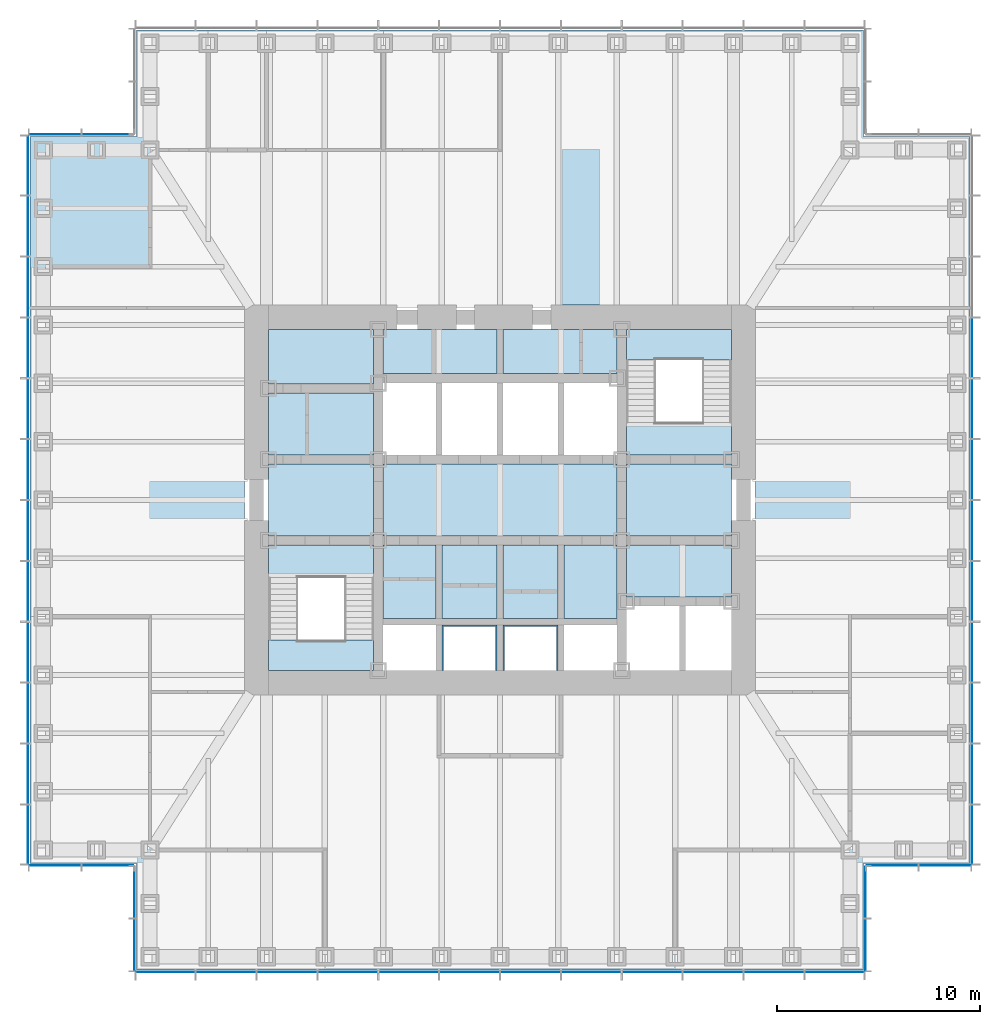
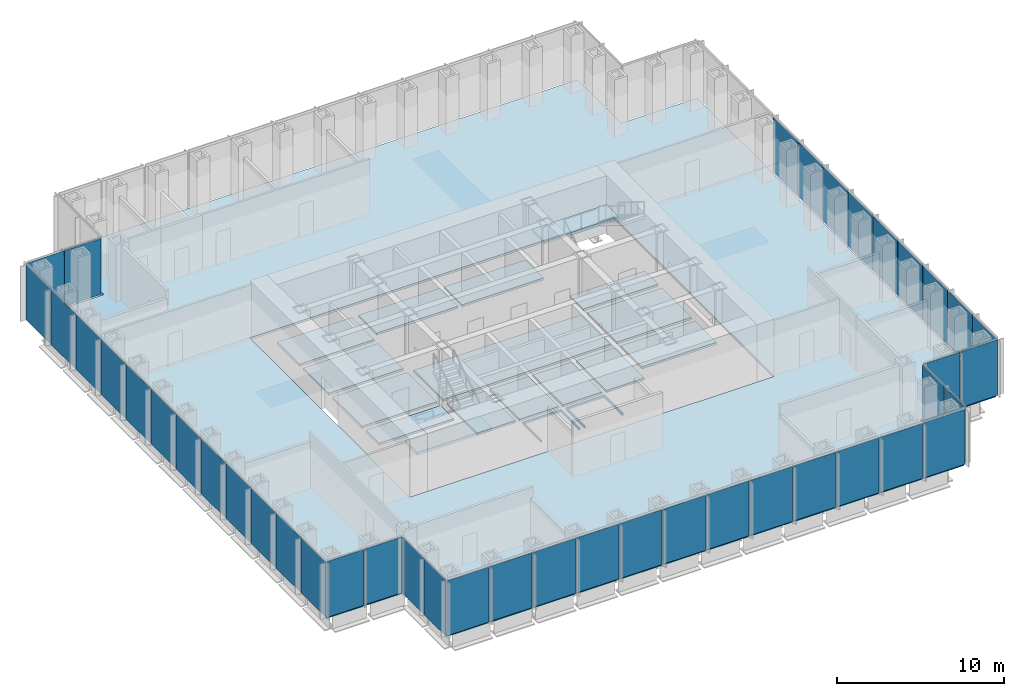
# One storey, part 7 of 16: 43 plates, 19 slabs, 10 elements without a shape of their own.
"""IFC4 building model written with IfcOpenShell, lengths in metres."""

from ifc_helpers import new_model, si_unit, direction, frame, origin, origin_2d, place, context, subcontext, project, spatial, polyline, rectangle, outline, extrude, material, layer, layer_set, type_object, element, aggregate, save


model = new_model("IFC4")

# Units and contexts
model_context = context("Model", 3, precision=1e-05, world=origin(), true_north=direction((0.0, 1.0)))
body_context = subcontext(model_context, "Body", "Model", "MODEL_VIEW")
ifc_project = project(units=[si_unit("LENGTHUNIT", "METRE"), si_unit("AREAUNIT", "SQUARE_METRE"), si_unit("VOLUMEUNIT", "CUBIC_METRE"), si_unit("PLANEANGLEUNIT", "RADIAN"), si_unit("MASSUNIT", "GRAM", prefix="KILO")], contexts=[model_context])

# Site, building, storey
site_placement = place(None, origin())
site = spatial("IfcSite", under=ifc_project, at=site_placement, CompositionType="ELEMENT")
building_placement = place(site_placement, origin())
building = spatial("IfcBuilding", under=site, at=building_placement, Name="Daluyong Arena Tower", CompositionType="ELEMENT")
storey_placement = place(building_placement, frame((0.0, 0.0, 133.300048828125)))
storey = spatial("IfcBuildingStorey", under=building, at=storey_placement, Name="L29", CompositionType="ELEMENT", Elevation=133.300048828125)

# Curtain wall, plates
ifc_material_1 = material(Name="Bronze anodised aluminium and glass", Category="aluminium")
curtain_wall_type_1 = type_object("IfcCurtainWallType", Name="Curtain wall CW2", PredefinedType="USERDEFINED", material=ifc_material_1)
curtain_wall_1_placement = place(storey_placement, origin())
curtain_wall_1 = element("IfcCurtainWall", 1, at=curtain_wall_1_placement, inside=storey, type_object=curtain_wall_type_1, Name="curtain wall L29 S", ObjectType="UNITISED CURTAIN WALL", PredefinedType="USERDEFINED")
ifc_material_2 = material(Name="Tinted double glazed unit", Category="glass")
ifc_layer_1 = layer(ifc_material_2, 0.031982421875)
ifc_layer_set_1 = layer_set([ifc_layer_1], Name="Tinted double glazed unit")
plate_type_1 = type_object("IfcPlateType", Name="CW2 panel 32", PredefinedType="CURTAIN_PANEL", material=ifc_layer_set_1)
plate_1_placement = place(storey_placement, frame((39.52001953125, 56.75, 0.0), z_axis=(0.0, 0.0, 1.0), x_axis=(1.0, 0.0, 0.0)))
plate_1 = element("IfcPlate", 2, at=plate_1_placement, type_object=plate_type_1, Name="curtain wall L29 S panel 1", PredefinedType="CURTAIN_PANEL", context=body_context, shape_type="SweptSolid", body=[
    extrude(rectangle(XDim=2.8798828125, YDim=0.031982421875, at=origin_2d()), origin(), (0.0, 0.0, 1.0), 4.02001953125),
])
plate_2_placement = place(storey_placement, frame((42.5, 56.75, 0.0), z_axis=(0.0, 0.0, 1.0), x_axis=(1.0, 0.0, 0.0)))
plate_2 = element("IfcPlate", 3, at=plate_2_placement, type_object=plate_type_1, Name="curtain wall L29 S panel 2", PredefinedType="CURTAIN_PANEL", context=body_context, shape_type="SweptSolid", body=[
    extrude(rectangle(XDim=2.919921875, YDim=0.031982421875, at=origin_2d()), origin(), (0.0, 0.0, 1.0), 4.02001953125),
])
plate_3_placement = place(storey_placement, frame((45.5, 56.75, 0.0), z_axis=(0.0, 0.0, 1.0), x_axis=(1.0, 0.0, 0.0)))
plate_3 = element("IfcPlate", 4, at=plate_3_placement, type_object=plate_type_1, Name="curtain wall L29 S panel 3", PredefinedType="CURTAIN_PANEL", context=body_context, shape_type="SweptSolid", body=[
    extrude(rectangle(XDim=2.919921875, YDim=0.031982421875, at=origin_2d()), origin(), (0.0, 0.0, 1.0), 4.02001953125),
])
plate_4_placement = place(storey_placement, frame((48.5, 56.75, 0.0), z_axis=(0.0, 0.0, 1.0), x_axis=(1.0, 0.0, 0.0)))
plate_4 = element("IfcPlate", 5, at=plate_4_placement, type_object=plate_type_1, Name="curtain wall L29 S panel 4", PredefinedType="CURTAIN_PANEL", context=body_context, shape_type="SweptSolid", body=[
    extrude(rectangle(XDim=2.919921875, YDim=0.031982421875, at=origin_2d()), origin(), (0.0, 0.0, 1.0), 4.02001953125),
])
plate_5_placement = place(storey_placement, frame((51.5, 56.75, 0.0), z_axis=(0.0, 0.0, 1.0), x_axis=(1.0, 0.0, 0.0)))
plate_5 = element("IfcPlate", 6, at=plate_5_placement, type_object=plate_type_1, Name="curtain wall L29 S panel 5", PredefinedType="CURTAIN_PANEL", context=body_context, shape_type="SweptSolid", body=[
    extrude(rectangle(XDim=2.919921875, YDim=0.031982421875, at=origin_2d()), origin(), (0.0, 0.0, 1.0), 4.02001953125),
])
plate_6_placement = place(storey_placement, frame((54.5, 56.75, 0.0), z_axis=(0.0, 0.0, 1.0), x_axis=(1.0, 0.0, 0.0)))
plate_6 = element("IfcPlate", 7, at=plate_6_placement, type_object=plate_type_1, Name="curtain wall L29 S panel 6", PredefinedType="CURTAIN_PANEL", context=body_context, shape_type="SweptSolid", body=[
    extrude(rectangle(XDim=2.919921875, YDim=0.031982421875, at=origin_2d()), origin(), (0.0, 0.0, 1.0), 4.02001953125),
])
plate_7_placement = place(storey_placement, frame((57.5, 56.75, 0.0), z_axis=(0.0, 0.0, 1.0), x_axis=(1.0, 0.0, 0.0)))
plate_7 = element("IfcPlate", 8, at=plate_7_placement, type_object=plate_type_1, Name="curtain wall L29 S panel 7", PredefinedType="CURTAIN_PANEL", context=body_context, shape_type="SweptSolid", body=[
    extrude(rectangle(XDim=2.919921875, YDim=0.031982421875, at=origin_2d()), origin(), (0.0, 0.0, 1.0), 4.02001953125),
])
plate_8_placement = place(storey_placement, frame((60.5, 56.75, 0.0), z_axis=(0.0, 0.0, 1.0), x_axis=(1.0, 0.0, 0.0)))
plate_8 = element("IfcPlate", 9, at=plate_8_placement, type_object=plate_type_1, Name="curtain wall L29 S panel 8", PredefinedType="CURTAIN_PANEL", context=body_context, shape_type="SweptSolid", body=[
    extrude(rectangle(XDim=2.919921875, YDim=0.031982421875, at=origin_2d()), origin(), (0.0, 0.0, 1.0), 4.02001953125),
])
plate_9_placement = place(storey_placement, frame((63.5, 56.75, 0.0), z_axis=(0.0, 0.0, 1.0), x_axis=(1.0, 0.0, 0.0)))
plate_9 = element("IfcPlate", 10, at=plate_9_placement, type_object=plate_type_1, Name="curtain wall L29 S panel 9", PredefinedType="CURTAIN_PANEL", context=body_context, shape_type="SweptSolid", body=[
    extrude(rectangle(XDim=2.919921875, YDim=0.031982421875, at=origin_2d()), origin(), (0.0, 0.0, 1.0), 4.02001953125),
])
plate_10_placement = place(storey_placement, frame((66.5, 56.75, 0.0), z_axis=(0.0, 0.0, 1.0), x_axis=(1.0, 0.0, 0.0)))
plate_10 = element("IfcPlate", 11, at=plate_10_placement, type_object=plate_type_1, Name="curtain wall L29 S panel 10", PredefinedType="CURTAIN_PANEL", context=body_context, shape_type="SweptSolid", body=[
    extrude(rectangle(XDim=2.919921875, YDim=0.031982421875, at=origin_2d()), origin(), (0.0, 0.0, 1.0), 4.02001953125),
])
plate_11_placement = place(storey_placement, frame((69.5, 56.75, 0.0), z_axis=(0.0, 0.0, 1.0), x_axis=(1.0, 0.0, 0.0)))
plate_11 = element("IfcPlate", 12, at=plate_11_placement, type_object=plate_type_1, Name="curtain wall L29 S panel 11", PredefinedType="CURTAIN_PANEL", context=body_context, shape_type="SweptSolid", body=[
    extrude(rectangle(XDim=2.919921875, YDim=0.031982421875, at=origin_2d()), origin(), (0.0, 0.0, 1.0), 4.02001953125),
])
plate_12_placement = place(storey_placement, frame((72.47998046875, 56.75, 0.0), z_axis=(0.0, 0.0, 1.0), x_axis=(1.0, 0.0, 0.0)))
plate_12 = element("IfcPlate", 13, at=plate_12_placement, type_object=plate_type_1, Name="curtain wall L29 S panel 12", PredefinedType="CURTAIN_PANEL", context=body_context, shape_type="SweptSolid", body=[
    extrude(rectangle(XDim=2.8798828125, YDim=0.031982421875, at=origin_2d()), origin(), (0.0, 0.0, 1.0), 4.02001953125),
])
aggregate(curtain_wall_1, [plate_1, plate_2, plate_3, plate_4, plate_5, plate_6, plate_7, plate_8, plate_9, plate_10, plate_11, plate_12])

curtain_wall_2_placement = place(storey_placement, origin())
curtain_wall_2 = element("IfcCurtainWall", 14, at=curtain_wall_2_placement, inside=storey, type_object=curtain_wall_type_1, Name="curtain wall L29 E", ObjectType="UNITISED CURTAIN WALL", PredefinedType="USERDEFINED")
plate_13_placement = place(storey_placement, frame((79.25, 63.52001953125, 0.0), z_axis=(0.0, 0.0, 1.0), x_axis=(0.0, 1.0, 0.0)))
plate_13 = element("IfcPlate", 15, at=plate_13_placement, type_object=plate_type_1, Name="curtain wall L29 E panel 1", PredefinedType="CURTAIN_PANEL", context=body_context, shape_type="SweptSolid", body=[
    extrude(rectangle(XDim=2.8798828125, YDim=0.031982421875, at=origin_2d()), origin(), (0.0, 0.0, 1.0), 4.02001953125),
])
plate_14_placement = place(storey_placement, frame((79.25, 66.5, 0.0), z_axis=(0.0, 0.0, 1.0), x_axis=(0.0, 1.0, 0.0)))
plate_14 = element("IfcPlate", 16, at=plate_14_placement, type_object=plate_type_1, Name="curtain wall L29 E panel 2", PredefinedType="CURTAIN_PANEL", context=body_context, shape_type="SweptSolid", body=[
    extrude(rectangle(XDim=2.919921875, YDim=0.031982421875, at=origin_2d()), origin(), (0.0, 0.0, 1.0), 4.02001953125),
])
plate_15_placement = place(storey_placement, frame((79.25, 69.5, 0.0), z_axis=(0.0, 0.0, 1.0), x_axis=(0.0, 1.0, 0.0)))
plate_15 = element("IfcPlate", 17, at=plate_15_placement, type_object=plate_type_1, Name="curtain wall L29 E panel 3", PredefinedType="CURTAIN_PANEL", context=body_context, shape_type="SweptSolid", body=[
    extrude(rectangle(XDim=2.919921875, YDim=0.031982421875, at=origin_2d()), origin(), (0.0, 0.0, 1.0), 4.02001953125),
])
plate_16_placement = place(storey_placement, frame((79.25, 72.5, 0.0), z_axis=(0.0, 0.0, 1.0), x_axis=(0.0, 1.0, 0.0)))
plate_16 = element("IfcPlate", 18, at=plate_16_placement, type_object=plate_type_1, Name="curtain wall L29 E panel 4", PredefinedType="CURTAIN_PANEL", context=body_context, shape_type="SweptSolid", body=[
    extrude(rectangle(XDim=2.919921875, YDim=0.031982421875, at=origin_2d()), origin(), (0.0, 0.0, 1.0), 4.02001953125),
])
plate_17_placement = place(storey_placement, frame((79.25, 75.5, 0.0), z_axis=(0.0, 0.0, 1.0), x_axis=(0.0, 1.0, 0.0)))
plate_17 = element("IfcPlate", 19, at=plate_17_placement, type_object=plate_type_1, Name="curtain wall L29 E panel 5", PredefinedType="CURTAIN_PANEL", context=body_context, shape_type="SweptSolid", body=[
    extrude(rectangle(XDim=2.919921875, YDim=0.031982421875, at=origin_2d()), origin(), (0.0, 0.0, 1.0), 4.02001953125),
])
plate_18_placement = place(storey_placement, frame((79.25, 78.5, 0.0), z_axis=(0.0, 0.0, 1.0), x_axis=(0.0, 1.0, 0.0)))
plate_18 = element("IfcPlate", 20, at=plate_18_placement, type_object=plate_type_1, Name="curtain wall L29 E panel 6", PredefinedType="CURTAIN_PANEL", context=body_context, shape_type="SweptSolid", body=[
    extrude(rectangle(XDim=2.919921875, YDim=0.031982421875, at=origin_2d()), origin(), (0.0, 0.0, 1.0), 4.02001953125),
])
plate_19_placement = place(storey_placement, frame((79.25, 81.5, 0.0), z_axis=(0.0, 0.0, 1.0), x_axis=(0.0, 1.0, 0.0)))
plate_19 = element("IfcPlate", 21, at=plate_19_placement, type_object=plate_type_1, Name="curtain wall L29 E panel 7", PredefinedType="CURTAIN_PANEL", context=body_context, shape_type="SweptSolid", body=[
    extrude(rectangle(XDim=2.919921875, YDim=0.031982421875, at=origin_2d()), origin(), (0.0, 0.0, 1.0), 4.02001953125),
])
plate_20_placement = place(storey_placement, frame((79.25, 84.5, 0.0), z_axis=(0.0, 0.0, 1.0), x_axis=(0.0, 1.0, 0.0)))
plate_20 = element("IfcPlate", 22, at=plate_20_placement, type_object=plate_type_1, Name="curtain wall L29 E panel 8", PredefinedType="CURTAIN_PANEL", context=body_context, shape_type="SweptSolid", body=[
    extrude(rectangle(XDim=2.919921875, YDim=0.031982421875, at=origin_2d()), origin(), (0.0, 0.0, 1.0), 4.02001953125),
])
plate_21_placement = place(storey_placement, frame((79.25, 87.5, 0.0), z_axis=(0.0, 0.0, 1.0), x_axis=(0.0, 1.0, 0.0)))
plate_21 = element("IfcPlate", 23, at=plate_21_placement, type_object=plate_type_1, Name="curtain wall L29 E panel 9", PredefinedType="CURTAIN_PANEL", context=body_context, shape_type="SweptSolid", body=[
    extrude(rectangle(XDim=2.919921875, YDim=0.031982421875, at=origin_2d()), origin(), (0.0, 0.0, 1.0), 4.02001953125),
])
aggregate(curtain_wall_2, [plate_13, plate_14, plate_15, plate_16, plate_17, plate_18, plate_19, plate_20, plate_21])

curtain_wall_3_placement = place(storey_placement, origin())
curtain_wall_3 = element("IfcCurtainWall", 24, at=curtain_wall_3_placement, inside=storey, type_object=curtain_wall_type_1, Name="curtain wall L29 W", ObjectType="UNITISED CURTAIN WALL", PredefinedType="USERDEFINED")
plate_22_placement = place(storey_placement, frame((32.75, 96.47998046875, 0.0), z_axis=(0.0, 0.0, 1.0), x_axis=(0.0, -1.0, 0.0)))
plate_22 = element("IfcPlate", 25, at=plate_22_placement, type_object=plate_type_1, Name="curtain wall L29 W panel 1", PredefinedType="CURTAIN_PANEL", context=body_context, shape_type="SweptSolid", body=[
    extrude(rectangle(XDim=2.8798828125, YDim=0.031982421875, at=origin_2d()), origin(), (0.0, 0.0, 1.0), 4.02001953125),
])
plate_23_placement = place(storey_placement, frame((32.75, 93.5, 0.0), z_axis=(0.0, 0.0, 1.0), x_axis=(0.0, -1.0, 0.0)))
plate_23 = element("IfcPlate", 26, at=plate_23_placement, type_object=plate_type_1, Name="curtain wall L29 W panel 2", PredefinedType="CURTAIN_PANEL", context=body_context, shape_type="SweptSolid", body=[
    extrude(rectangle(XDim=2.919921875, YDim=0.031982421875, at=origin_2d()), origin(), (0.0, 0.0, 1.0), 4.02001953125),
])
plate_24_placement = place(storey_placement, frame((32.75, 90.5, 0.0), z_axis=(0.0, 0.0, 1.0), x_axis=(0.0, -1.0, 0.0)))
plate_24 = element("IfcPlate", 27, at=plate_24_placement, type_object=plate_type_1, Name="curtain wall L29 W panel 3", PredefinedType="CURTAIN_PANEL", context=body_context, shape_type="SweptSolid", body=[
    extrude(rectangle(XDim=2.919921875, YDim=0.031982421875, at=origin_2d()), origin(), (0.0, 0.0, 1.0), 4.02001953125),
])
plate_25_placement = place(storey_placement, frame((32.75, 87.5, 0.0), z_axis=(0.0, 0.0, 1.0), x_axis=(0.0, -1.0, 0.0)))
plate_25 = element("IfcPlate", 28, at=plate_25_placement, type_object=plate_type_1, Name="curtain wall L29 W panel 4", PredefinedType="CURTAIN_PANEL", context=body_context, shape_type="SweptSolid", body=[
    extrude(rectangle(XDim=2.919921875, YDim=0.031982421875, at=origin_2d()), origin(), (0.0, 0.0, 1.0), 4.02001953125),
])
plate_26_placement = place(storey_placement, frame((32.75, 84.5, 0.0), z_axis=(0.0, 0.0, 1.0), x_axis=(0.0, -1.0, 0.0)))
plate_26 = element("IfcPlate", 29, at=plate_26_placement, type_object=plate_type_1, Name="curtain wall L29 W panel 5", PredefinedType="CURTAIN_PANEL", context=body_context, shape_type="SweptSolid", body=[
    extrude(rectangle(XDim=2.919921875, YDim=0.031982421875, at=origin_2d()), origin(), (0.0, 0.0, 1.0), 4.02001953125),
])
plate_27_placement = place(storey_placement, frame((32.75, 81.5, 0.0), z_axis=(0.0, 0.0, 1.0), x_axis=(0.0, -1.0, 0.0)))
plate_27 = element("IfcPlate", 30, at=plate_27_placement, type_object=plate_type_1, Name="curtain wall L29 W panel 6", PredefinedType="CURTAIN_PANEL", context=body_context, shape_type="SweptSolid", body=[
    extrude(rectangle(XDim=2.919921875, YDim=0.031982421875, at=origin_2d()), origin(), (0.0, 0.0, 1.0), 4.02001953125),
])
plate_28_placement = place(storey_placement, frame((32.75, 78.5, 0.0), z_axis=(0.0, 0.0, 1.0), x_axis=(0.0, -1.0, 0.0)))
plate_28 = element("IfcPlate", 31, at=plate_28_placement, type_object=plate_type_1, Name="curtain wall L29 W panel 7", PredefinedType="CURTAIN_PANEL", context=body_context, shape_type="SweptSolid", body=[
    extrude(rectangle(XDim=2.919921875, YDim=0.031982421875, at=origin_2d()), origin(), (0.0, 0.0, 1.0), 4.02001953125),
])
plate_29_placement = place(storey_placement, frame((32.75, 75.5, 0.0), z_axis=(0.0, 0.0, 1.0), x_axis=(0.0, -1.0, 0.0)))
plate_29 = element("IfcPlate", 32, at=plate_29_placement, type_object=plate_type_1, Name="curtain wall L29 W panel 8", PredefinedType="CURTAIN_PANEL", context=body_context, shape_type="SweptSolid", body=[
    extrude(rectangle(XDim=2.919921875, YDim=0.031982421875, at=origin_2d()), origin(), (0.0, 0.0, 1.0), 4.02001953125),
])
plate_30_placement = place(storey_placement, frame((32.75, 72.5, 0.0), z_axis=(0.0, 0.0, 1.0), x_axis=(0.0, -1.0, 0.0)))
plate_30 = element("IfcPlate", 33, at=plate_30_placement, type_object=plate_type_1, Name="curtain wall L29 W panel 9", PredefinedType="CURTAIN_PANEL", context=body_context, shape_type="SweptSolid", body=[
    extrude(rectangle(XDim=2.919921875, YDim=0.031982421875, at=origin_2d()), origin(), (0.0, 0.0, 1.0), 4.02001953125),
])
plate_31_placement = place(storey_placement, frame((32.75, 69.5, 0.0), z_axis=(0.0, 0.0, 1.0), x_axis=(0.0, -1.0, 0.0)))
plate_31 = element("IfcPlate", 34, at=plate_31_placement, type_object=plate_type_1, Name="curtain wall L29 W panel 10", PredefinedType="CURTAIN_PANEL", context=body_context, shape_type="SweptSolid", body=[
    extrude(rectangle(XDim=2.919921875, YDim=0.031982421875, at=origin_2d()), origin(), (0.0, 0.0, 1.0), 4.02001953125),
])
plate_32_placement = place(storey_placement, frame((32.75, 66.5, 0.0), z_axis=(0.0, 0.0, 1.0), x_axis=(0.0, -1.0, 0.0)))
plate_32 = element("IfcPlate", 35, at=plate_32_placement, type_object=plate_type_1, Name="curtain wall L29 W panel 11", PredefinedType="CURTAIN_PANEL", context=body_context, shape_type="SweptSolid", body=[
    extrude(rectangle(XDim=2.919921875, YDim=0.031982421875, at=origin_2d()), origin(), (0.0, 0.0, 1.0), 4.02001953125),
])
plate_33_placement = place(storey_placement, frame((32.75, 63.52001953125, 0.0), z_axis=(0.0, 0.0, 1.0), x_axis=(0.0, -1.0, 0.0)))
plate_33 = element("IfcPlate", 36, at=plate_33_placement, type_object=plate_type_1, Name="curtain wall L29 W panel 12", PredefinedType="CURTAIN_PANEL", context=body_context, shape_type="SweptSolid", body=[
    extrude(rectangle(XDim=2.8798828125, YDim=0.031982421875, at=origin_2d()), origin(), (0.0, 0.0, 1.0), 4.02001953125),
])
aggregate(curtain_wall_3, [plate_22, plate_23, plate_24, plate_25, plate_26, plate_27, plate_28, plate_29, plate_30, plate_31, plate_32, plate_33])

ifc_material_3 = material(Name="Bronze anodised aluminium and glass", Category="aluminium")
curtain_wall_type_2 = type_object("IfcCurtainWallType", Name="Curtain wall CW7", PredefinedType="USERDEFINED", material=ifc_material_3)
curtain_wall_4_placement = place(storey_placement, origin())
curtain_wall_4 = element("IfcCurtainWall", 37, at=curtain_wall_4_placement, inside=storey, type_object=curtain_wall_type_2, Name="curtain wall L29 SE-E", ObjectType="UNITISED CURTAIN WALL", PredefinedType="USERDEFINED")
ifc_material_4 = material(Name="Tinted double glazed unit", Category="glass")
ifc_layer_2 = layer(ifc_material_4, 0.028076171875)
ifc_layer_set_2 = layer_set([ifc_layer_2], Name="Tinted double glazed unit")
plate_type_2 = type_object("IfcPlateType", Name="CW7 panel 28", PredefinedType="CURTAIN_PANEL", material=ifc_layer_set_2)
plate_34_placement = place(storey_placement, frame((74.0, 58.077392578125, 0.0), z_axis=(0.0, 0.0, 1.0), x_axis=(0.0, 1.0, 0.0)))
plate_34 = element("IfcPlate", 38, at=plate_34_placement, type_object=plate_type_2, Name="curtain wall L29 SE-E panel 1", PredefinedType="CURTAIN_PANEL", context=body_context, shape_type="SweptSolid", body=[
    extrude(rectangle(XDim=2.534912109375, YDim=0.028076171875, at=origin_2d()), origin(), (0.0, 0.0, 1.0), 4.080078125),
])
plate_35_placement = place(storey_placement, frame((74.0, 60.672607421875, 0.0), z_axis=(0.0, 0.0, 1.0), x_axis=(0.0, 1.0, 0.0)))
plate_35 = element("IfcPlate", 39, at=plate_35_placement, type_object=plate_type_2, Name="curtain wall L29 SE-E panel 2", PredefinedType="CURTAIN_PANEL", context=body_context, shape_type="SweptSolid", body=[
    extrude(rectangle(XDim=2.534912109375, YDim=0.028076171875, at=origin_2d()), origin(), (0.0, 0.0, 1.0), 4.080078125),
])
aggregate(curtain_wall_4, [plate_34, plate_35])

curtain_wall_5_placement = place(storey_placement, origin())
curtain_wall_5 = element("IfcCurtainWall", 40, at=curtain_wall_5_placement, inside=storey, type_object=curtain_wall_type_2, Name="curtain wall L29 SE-S", ObjectType="UNITISED CURTAIN WALL", PredefinedType="USERDEFINED")
plate_36_placement = place(storey_placement, frame((75.327392578125, 62.0, 0.0), z_axis=(0.0, 0.0, 1.0), x_axis=(1.0, 0.0, 0.0)))
plate_36 = element("IfcPlate", 41, at=plate_36_placement, type_object=plate_type_2, Name="curtain wall L29 SE-S panel 1", PredefinedType="CURTAIN_PANEL", context=body_context, shape_type="SweptSolid", body=[
    extrude(rectangle(XDim=2.534912109375, YDim=0.028076171875, at=origin_2d()), origin(), (0.0, 0.0, 1.0), 4.080078125),
])
plate_37_placement = place(storey_placement, frame((77.922607421875, 62.0, 0.0), z_axis=(0.0, 0.0, 1.0), x_axis=(1.0, 0.0, 0.0)))
plate_37 = element("IfcPlate", 42, at=plate_37_placement, type_object=plate_type_2, Name="curtain wall L29 SE-S panel 2", PredefinedType="CURTAIN_PANEL", context=body_context, shape_type="SweptSolid", body=[
    extrude(rectangle(XDim=2.534912109375, YDim=0.028076171875, at=origin_2d()), origin(), (0.0, 0.0, 1.0), 4.080078125),
])
aggregate(curtain_wall_5, [plate_36, plate_37])

curtain_wall_6_placement = place(storey_placement, origin())
curtain_wall_6 = element("IfcCurtainWall", 43, at=curtain_wall_6_placement, inside=storey, type_object=curtain_wall_type_2, Name="curtain wall L29 NW-N", ObjectType="UNITISED CURTAIN WALL", PredefinedType="USERDEFINED")
plate_38_placement = place(storey_placement, frame((36.672607421875, 98.0, 0.0), z_axis=(0.0, 0.0, 1.0), x_axis=(-1.0, 0.0, 0.0)))
plate_38 = element("IfcPlate", 44, at=plate_38_placement, type_object=plate_type_2, Name="curtain wall L29 NW-N panel 1", PredefinedType="CURTAIN_PANEL", context=body_context, shape_type="SweptSolid", body=[
    extrude(rectangle(XDim=2.534912109375, YDim=0.028076171875, at=origin_2d()), origin(), (0.0, 0.0, 1.0), 4.080078125),
])
plate_39_placement = place(storey_placement, frame((34.077392578125, 98.0, 0.0), z_axis=(0.0, 0.0, 1.0), x_axis=(-1.0, 0.0, 0.0)))
plate_39 = element("IfcPlate", 45, at=plate_39_placement, type_object=plate_type_2, Name="curtain wall L29 NW-N panel 2", PredefinedType="CURTAIN_PANEL", context=body_context, shape_type="SweptSolid", body=[
    extrude(rectangle(XDim=2.534912109375, YDim=0.028076171875, at=origin_2d()), origin(), (0.0, 0.0, 1.0), 4.080078125),
])
aggregate(curtain_wall_6, [plate_38, plate_39])

curtain_wall_7_placement = place(storey_placement, origin())
curtain_wall_7 = element("IfcCurtainWall", 46, at=curtain_wall_7_placement, inside=storey, type_object=curtain_wall_type_2, Name="curtain wall L29 SW-S", ObjectType="UNITISED CURTAIN WALL", PredefinedType="USERDEFINED")
plate_40_placement = place(storey_placement, frame((34.077392578125, 62.0, 0.0), z_axis=(0.0, 0.0, 1.0), x_axis=(1.0, 0.0, 0.0)))
plate_40 = element("IfcPlate", 47, at=plate_40_placement, type_object=plate_type_2, Name="curtain wall L29 SW-S panel 1", PredefinedType="CURTAIN_PANEL", context=body_context, shape_type="SweptSolid", body=[
    extrude(rectangle(XDim=2.534912109375, YDim=0.028076171875, at=origin_2d()), origin(), (0.0, 0.0, 1.0), 4.080078125),
])
plate_41_placement = place(storey_placement, frame((36.672607421875, 62.0, 0.0), z_axis=(0.0, 0.0, 1.0), x_axis=(1.0, 0.0, 0.0)))
plate_41 = element("IfcPlate", 48, at=plate_41_placement, type_object=plate_type_2, Name="curtain wall L29 SW-S panel 2", PredefinedType="CURTAIN_PANEL", context=body_context, shape_type="SweptSolid", body=[
    extrude(rectangle(XDim=2.534912109375, YDim=0.028076171875, at=origin_2d()), origin(), (0.0, 0.0, 1.0), 4.080078125),
])
aggregate(curtain_wall_7, [plate_40, plate_41])

curtain_wall_8_placement = place(storey_placement, origin())
curtain_wall_8 = element("IfcCurtainWall", 49, at=curtain_wall_8_placement, inside=storey, type_object=curtain_wall_type_2, Name="curtain wall L29 SW-W", ObjectType="UNITISED CURTAIN WALL", PredefinedType="USERDEFINED")
plate_42_placement = place(storey_placement, frame((38.0, 60.672607421875, 0.0), z_axis=(0.0, 0.0, 1.0), x_axis=(0.0, -1.0, 0.0)))
plate_42 = element("IfcPlate", 50, at=plate_42_placement, type_object=plate_type_2, Name="curtain wall L29 SW-W panel 1", PredefinedType="CURTAIN_PANEL", context=body_context, shape_type="SweptSolid", body=[
    extrude(rectangle(XDim=2.534912109375, YDim=0.028076171875, at=origin_2d()), origin(), (0.0, 0.0, 1.0), 4.080078125),
])
plate_43_placement = place(storey_placement, frame((38.0, 58.077392578125, 0.0), z_axis=(0.0, 0.0, 1.0), x_axis=(0.0, -1.0, 0.0)))
plate_43 = element("IfcPlate", 51, at=plate_43_placement, type_object=plate_type_2, Name="curtain wall L29 SW-W panel 2", PredefinedType="CURTAIN_PANEL", context=body_context, shape_type="SweptSolid", body=[
    extrude(rectangle(XDim=2.534912109375, YDim=0.028076171875, at=origin_2d()), origin(), (0.0, 0.0, 1.0), 4.080078125),
])
aggregate(curtain_wall_8, [plate_42, plate_43])

# Stair, slab
ifc_material_5 = material(Name="Concrete fc' 35 MPa", Category="concrete")
stair_type = type_object("IfcStairType", Name="Core exit stair", PredefinedType="HALF_TURN_STAIR", material=ifc_material_5)
stair_1_placement = place(storey_placement, origin())
stair_1 = element("IfcStair", 52, at=stair_1_placement, inside=storey, type_object=stair_type, Name="exit stair A L29", PredefinedType="HALF_TURN_STAIR")
ifc_material_6 = material(Name="Concrete fc' 35 MPa", Category="concrete")
ifc_layer_3 = layer(ifc_material_6, 0.199951171875)
ifc_layer_set_3 = layer_set([ifc_layer_3], Name="Concrete fc' 35 MPa")
slab_type_1 = type_object("IfcSlabType", Name="Stair landing 200", PredefinedType="LANDING", material=ifc_layer_set_3)
slab_1_placement = place(storey_placement, frame((0.0, 0.0, 1.89990234375)))
slab_1 = element("IfcSlab", 53, at=slab_1_placement, type_object=slab_type_1, Name="STA landing 1", PredefinedType="LANDING", context=body_context, shape_type="SweptSolid", body=[
    extrude(outline(polyline([(44.60009765625, 71.60009765625), (49.77490234375, 71.60009765625), (49.77490234375, 73.094970703125), (44.60009765625, 73.094970703125), (44.60009765625, 71.60009765625)])), origin(), (0.0, 0.0, 1.0), 0.199951171875),
])
aggregate(stair_1, [slab_1])

stair_2_placement = place(storey_placement, origin())
stair_2 = element("IfcStair", 54, at=stair_2_placement, inside=storey, type_object=stair_type, Name="exit stair B L29", PredefinedType="HALF_TURN_STAIR")
slab_2_placement = place(storey_placement, frame((0.0, 0.0, 1.89990234375)))
slab_2 = element("IfcSlab", 55, at=slab_2_placement, type_object=slab_type_1, Name="STB landing 1", PredefinedType="LANDING", context=body_context, shape_type="SweptSolid", body=[
    extrude(outline(polyline([(62.22509765625, 86.905029296875), (67.39990234375, 86.905029296875), (67.39990234375, 88.39990234375), (62.22509765625, 88.39990234375), (62.22509765625, 86.905029296875)])), origin(), (0.0, 0.0, 1.0), 0.199951171875),
])
aggregate(stair_2, [slab_2])

# Slabs
ifc_material_7 = material(Name="Concrete fc' 35 MPa", Category="concrete")
ifc_layer_4 = layer(ifc_material_7, 0.159912109375)
ifc_layer_set_4 = layer_set([ifc_layer_4], Name="Concrete fc' 35 MPa")
slab_type_2 = type_object("IfcSlabType", Name="Tower floor slab 160", PredefinedType="FLOOR", material=ifc_layer_set_4)
slab_3_placement = place(storey_placement, frame((0.0, 0.0, -0.16015625)))
element("IfcSlab", 56, at=slab_3_placement, inside=storey, type_object=slab_type_2, Name="floor L29 part 1", PredefinedType="FLOOR", context=body_context, shape_type="SweptSolid", body=[
    extrude(outline(polyline([(49.77490234375, 76.175048828125), (49.77490234375, 77.77490234375), (44.60009765625, 77.77490234375), (44.60009765625, 76.175048828125), (49.77490234375, 76.175048828125)])), origin(), (0.0, 0.0, 1.0), 0.16015625),
])
slab_4_placement = place(storey_placement, frame((0.0, 0.0, -0.16015625)))
element("IfcSlab", 57, at=slab_4_placement, inside=storey, type_object=slab_type_2, Name="floor L29 part 2", PredefinedType="FLOOR", context=body_context, shape_type="SweptSolid", body=[
    extrude(outline(polyline([(44.60009765625, 78.22509765625), (49.77490234375, 78.22509765625), (49.77490234375, 81.77490234375), (44.60009765625, 81.77490234375), (44.60009765625, 78.22509765625)])), origin(), (0.0, 0.0, 1.0), 0.16015625),
])
slab_5_placement = place(storey_placement, frame((0.0, 0.0, -0.16015625)))
element("IfcSlab", 58, at=slab_5_placement, inside=storey, type_object=slab_type_2, Name="floor L29 part 3", PredefinedType="FLOOR", context=body_context, shape_type="SweptSolid", body=[
    extrude(outline(polyline([(44.60009765625, 82.22509765625), (49.77490234375, 82.22509765625), (49.77490234375, 85.27490234375), (44.60009765625, 85.27490234375), (44.60009765625, 82.22509765625)])), origin(), (0.0, 0.0, 1.0), 0.16015625),
])
slab_6_placement = place(storey_placement, frame((0.0, 0.0, -0.16015625)))
element("IfcSlab", 59, at=slab_6_placement, inside=storey, type_object=slab_type_2, Name="floor L29 part 4", PredefinedType="FLOOR", context=body_context, shape_type="SweptSolid", body=[
    extrude(outline(polyline([(49.77490234375, 88.39990234375), (44.60009765625, 88.39990234375), (44.60009765625, 85.72509765625), (49.77490234375, 85.72509765625), (49.77490234375, 88.39990234375)])), origin(), (0.0, 0.0, 1.0), 0.16015625),
])
slab_7_placement = place(storey_placement, frame((0.0, 0.0, -0.16015625)))
element("IfcSlab", 60, at=slab_7_placement, inside=storey, type_object=slab_type_2, Name="floor L29 part 5", PredefinedType="FLOOR", context=body_context, shape_type="SweptSolid", body=[
    extrude(outline(polyline([(52.85009765625, 77.77490234375), (50.22509765625, 77.77490234375), (50.22509765625, 74.14990234375), (52.85009765625, 74.14990234375), (52.85009765625, 77.77490234375)])), origin(), (0.0, 0.0, 1.0), 0.16015625),
])
slab_8_placement = place(storey_placement, frame((0.0, 0.0, -0.16015625)))
element("IfcSlab", 61, at=slab_8_placement, inside=storey, type_object=slab_type_2, Name="floor L29 part 6", PredefinedType="FLOOR", context=body_context, shape_type="SweptSolid", body=[
    extrude(outline(polyline([(55.85009765625, 88.39990234375), (50.22509765625, 88.39990234375), (50.22509765625, 86.22509765625), (55.85009765625, 86.22509765625), (55.85009765625, 88.39990234375)])), origin(), (0.0, 0.0, 1.0), 0.16015625),
])
slab_9_placement = place(storey_placement, frame((0.0, 0.0, -0.16015625)))
element("IfcSlab", 62, at=slab_9_placement, inside=storey, type_object=slab_type_2, Name="floor L29 part 7", PredefinedType="FLOOR", context=body_context, shape_type="SweptSolid", body=[
    extrude(outline(polyline([(55.77490234375, 73.77490234375), (55.77490234375, 71.60009765625), (55.85009765625, 71.60009765625), (55.85009765625, 73.85009765625), (53.14990234375, 73.85009765625), (53.14990234375, 71.60009765625), (53.22509765625, 71.60009765625), (53.22509765625, 73.77490234375), (55.77490234375, 73.77490234375)])), origin(), (0.0, 0.0, 1.0), 0.16015625),
])
slab_10_placement = place(storey_placement, frame((0.0, 0.0, -0.16015625)))
element("IfcSlab", 63, at=slab_10_placement, inside=storey, type_object=slab_type_2, Name="floor L29 part 8", PredefinedType="FLOOR", context=body_context, shape_type="SweptSolid", body=[
    extrude(outline(polyline([(55.85009765625, 77.77490234375), (53.14990234375, 77.77490234375), (53.14990234375, 74.14990234375), (55.85009765625, 74.14990234375), (55.85009765625, 77.77490234375)])), origin(), (0.0, 0.0, 1.0), 0.16015625),
])
slab_11_placement = place(storey_placement, frame((0.0, 0.0, -0.16015625)))
element("IfcSlab", 64, at=slab_11_placement, inside=storey, type_object=slab_type_2, Name="floor L29 part 9", PredefinedType="FLOOR", context=body_context, shape_type="SweptSolid", body=[
    extrude(outline(polyline([(38.10009765625, 62.10009765625), (38.10009765625, 56.85009765625), (73.89990234375, 56.85009765625), (73.89990234375, 62.10009765625), (79.14990234375, 62.10009765625), (79.14990234375, 97.89990234375), (73.89990234375, 97.89990234375), (73.89990234375, 103.14990234375), (38.10009765625, 103.14990234375), (38.10009765625, 97.89990234375), (32.85009765625, 97.89990234375), (32.85009765625, 62.10009765625), (38.10009765625, 62.10009765625)]), holes=[polyline([(68.60009765625, 89.60009765625), (68.60009765625, 70.39990234375), (43.39990234375, 70.39990234375), (43.39990234375, 89.60009765625), (68.60009765625, 89.60009765625)])]), origin(), (0.0, 0.0, 1.0), 0.16015625),
])
slab_12_placement = place(storey_placement, frame((0.0, 0.0, -0.16015625)))
element("IfcSlab", 65, at=slab_12_placement, inside=storey, type_object=slab_type_2, Name="floor L29 part 10", PredefinedType="FLOOR", context=body_context, shape_type="SweptSolid", body=[
    extrude(outline(polyline([(61.77490234375, 78.22509765625), (61.77490234375, 81.77490234375), (50.22509765625, 81.77490234375), (50.22509765625, 78.22509765625), (61.77490234375, 78.22509765625)])), origin(), (0.0, 0.0, 1.0), 0.16015625),
])
slab_13_placement = place(storey_placement, frame((0.0, 0.0, -0.16015625)))
element("IfcSlab", 66, at=slab_13_placement, inside=storey, type_object=slab_type_2, Name="floor L29 part 11", PredefinedType="FLOOR", context=body_context, shape_type="SweptSolid", body=[
    extrude(outline(polyline([(58.85009765625, 71.60009765625), (58.85009765625, 73.85009765625), (56.14990234375, 73.85009765625), (56.14990234375, 71.60009765625), (56.22509765625, 71.60009765625), (56.22509765625, 73.77490234375), (58.77490234375, 73.77490234375), (58.77490234375, 71.60009765625), (58.85009765625, 71.60009765625)])), origin(), (0.0, 0.0, 1.0), 0.16015625),
])
slab_14_placement = place(storey_placement, frame((0.0, 0.0, -0.16015625)))
element("IfcSlab", 67, at=slab_14_placement, inside=storey, type_object=slab_type_2, Name="floor L29 part 12", PredefinedType="FLOOR", context=body_context, shape_type="SweptSolid", body=[
    extrude(outline(polyline([(58.85009765625, 77.77490234375), (56.14990234375, 77.77490234375), (56.14990234375, 74.14990234375), (58.85009765625, 74.14990234375), (58.85009765625, 77.77490234375)])), origin(), (0.0, 0.0, 1.0), 0.16015625),
])
slab_15_placement = place(storey_placement, frame((0.0, 0.0, -0.16015625)))
element("IfcSlab", 68, at=slab_15_placement, inside=storey, type_object=slab_type_2, Name="floor L29 part 13", PredefinedType="FLOOR", context=body_context, shape_type="SweptSolid", body=[
    extrude(outline(polyline([(56.14990234375, 88.39990234375), (56.14990234375, 86.22509765625), (61.77490234375, 86.22509765625), (61.77490234375, 88.39990234375), (56.14990234375, 88.39990234375)])), origin(), (0.0, 0.0, 1.0), 0.16015625),
])
slab_16_placement = place(storey_placement, frame((0.0, 0.0, -0.16015625)))
element("IfcSlab", 69, at=slab_16_placement, inside=storey, type_object=slab_type_2, Name="floor L29 part 14", PredefinedType="FLOOR", context=body_context, shape_type="SweptSolid", body=[
    extrude(outline(polyline([(59.14990234375, 77.77490234375), (59.14990234375, 74.14990234375), (61.77490234375, 74.14990234375), (61.77490234375, 77.77490234375), (59.14990234375, 77.77490234375)])), origin(), (0.0, 0.0, 1.0), 0.16015625),
])
slab_17_placement = place(storey_placement, frame((0.0, 0.0, -0.16015625)))
element("IfcSlab", 70, at=slab_17_placement, inside=storey, type_object=slab_type_2, Name="floor L29 part 15", PredefinedType="FLOOR", context=body_context, shape_type="SweptSolid", body=[
    extrude(outline(polyline([(62.22509765625, 75.22509765625), (67.39990234375, 75.22509765625), (67.39990234375, 77.77490234375), (62.22509765625, 77.77490234375), (62.22509765625, 75.22509765625)])), origin(), (0.0, 0.0, 1.0), 0.16015625),
])
slab_18_placement = place(storey_placement, frame((0.0, 0.0, -0.16015625)))
element("IfcSlab", 71, at=slab_18_placement, inside=storey, type_object=slab_type_2, Name="floor L29 part 16", PredefinedType="FLOOR", context=body_context, shape_type="SweptSolid", body=[
    extrude(outline(polyline([(62.22509765625, 78.22509765625), (67.39990234375, 78.22509765625), (67.39990234375, 81.77490234375), (62.22509765625, 81.77490234375), (62.22509765625, 78.22509765625)])), origin(), (0.0, 0.0, 1.0), 0.16015625),
])
slab_19_placement = place(storey_placement, frame((0.0, 0.0, -0.16015625)))
element("IfcSlab", 72, at=slab_19_placement, inside=storey, type_object=slab_type_2, Name="floor L29 part 17", PredefinedType="FLOOR", context=body_context, shape_type="SweptSolid", body=[
    extrude(outline(polyline([(62.22509765625, 82.22509765625), (67.39990234375, 82.22509765625), (67.39990234375, 83.824951171875), (62.22509765625, 83.824951171875), (62.22509765625, 82.22509765625)])), origin(), (0.0, 0.0, 1.0), 0.16015625),
])

save(model, "model.ifc")
